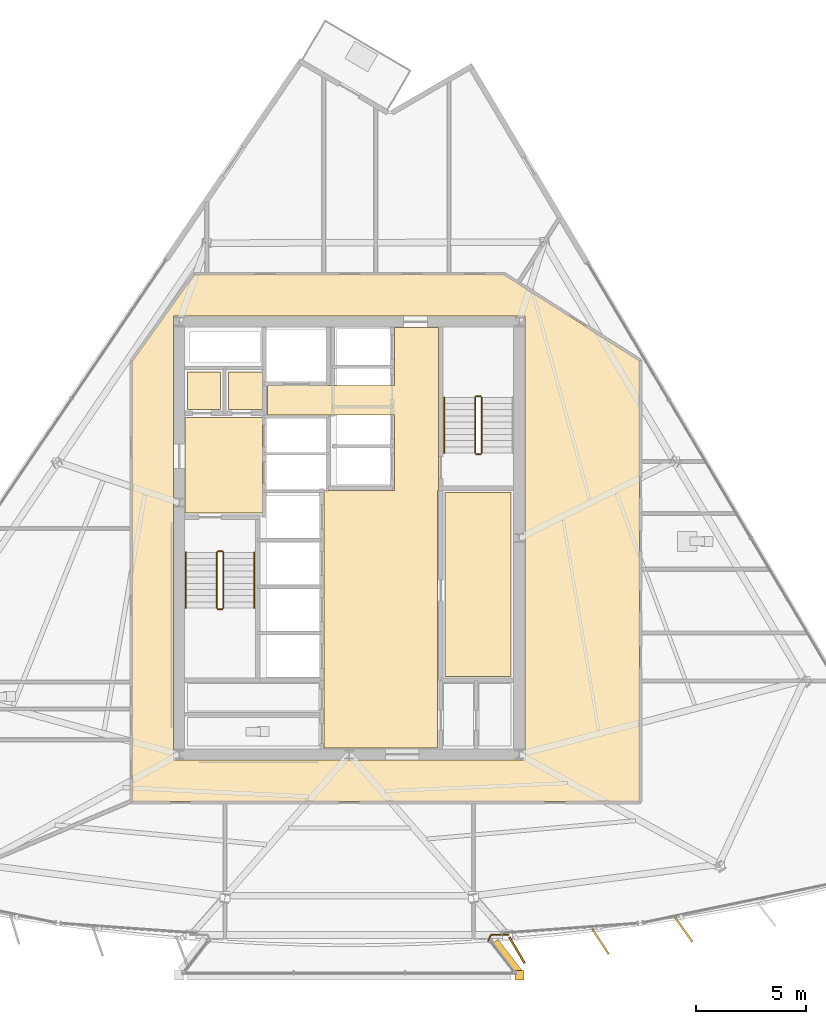
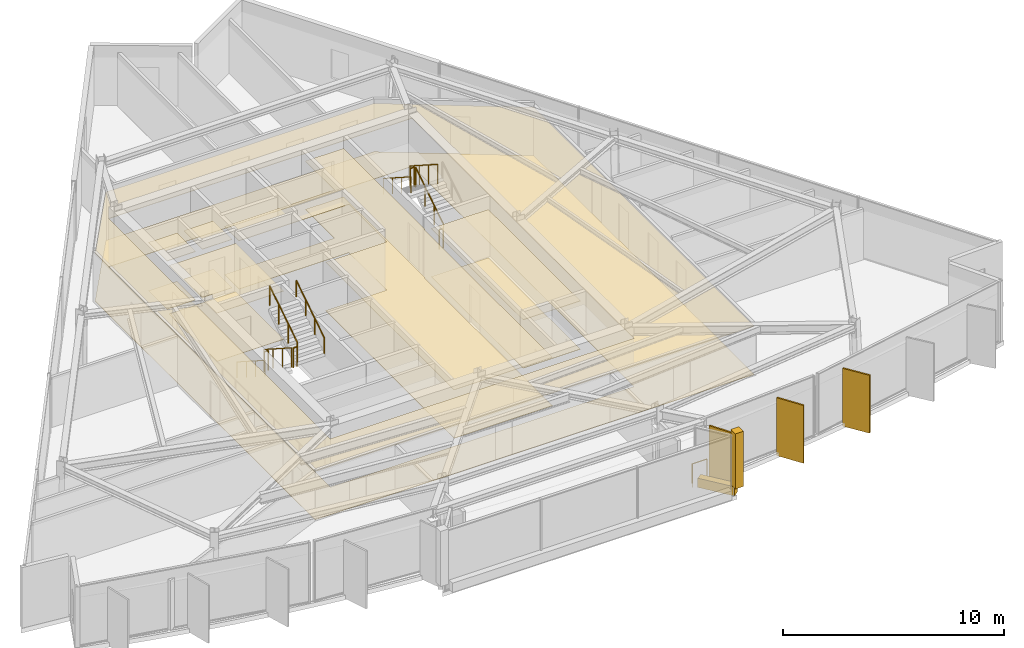
# One storey, part 12 of 14: 14 coverings, 12 railings, 3 shading devices.
"""IFC4 building model written with IfcOpenShell, lengths in metres."""

from ifc_helpers import new_model, si_unit, direction, frame, origin, origin_2d, place, context, subcontext, project, spatial, polyline, rectangle, circle, outline, extrude, material, layer, layer_set, type_object, element, save


model = new_model("IFC4")

# Units and contexts
model_context = context("Model", 3, precision=1e-05, world=origin(), true_north=direction((0.0, 1.0)))
body_context = subcontext(model_context, "Body", "Model", "MODEL_VIEW")
ifc_project = project(units=[si_unit("LENGTHUNIT", "METRE"), si_unit("AREAUNIT", "SQUARE_METRE"), si_unit("VOLUMEUNIT", "CUBIC_METRE"), si_unit("PLANEANGLEUNIT", "RADIAN"), si_unit("MASSUNIT", "GRAM", prefix="KILO")], contexts=[model_context])

# Site, building, storey
site_placement = place(None, origin())
site = spatial("IfcSite", under=ifc_project, at=site_placement, CompositionType="ELEMENT")
building_placement = place(site_placement, origin())
building = spatial("IfcBuilding", under=site, at=building_placement, Name="Savorim Split Tower", CompositionType="ELEMENT")
storey_placement = place(building_placement, frame((0.0, 0.0, 205.5)))
storey = spatial("IfcBuildingStorey", under=building, at=storey_placement, Name="L54", CompositionType="ELEMENT", Elevation=205.5)

# Coverings
ifc_material_1 = material(Name="Mineral Fibre Acoustic Ceiling")
ifc_layer_1 = layer(ifc_material_1, 0.02490234375)
ifc_layer_set_1 = layer_set([ifc_layer_1], Name="COV-CEIL-25")
covering_type_1 = type_object("IfcCoveringType", Name="COV-CEIL-25", PredefinedType="CEILING", material=ifc_layer_set_1)
covering_1_placement = place(storey_placement, frame((0.0, 0.0, 2.669921875)))
element("IfcCovering", 1, at=covering_1_placement, inside=storey, type_object=covering_type_1, Name="L54 Firefighting Lift Lobby Acoustic Ceiling", PredefinedType="CEILING", context=body_context, shape_type="SweptSolid", body=[
    extrude(outline(polyline([(-7.429931640625, 5.8701171875), (-7.429931640625, 1.530029296875), (-3.929931640625, 1.530029296875), (-3.929931640625, 5.8701171875), (-7.429931640625, 5.8701171875)])), origin(), (0.0, 0.0, 1.0), 0.025146484375),
])
covering_2_placement = place(storey_placement, frame((0.0, 0.0, 2.669921875)))
element("IfcCovering", 2, at=covering_2_placement, inside=storey, type_object=covering_type_1, Name="L54 Electrical Riser Acoustic Ceiling", PredefinedType="CEILING", context=body_context, shape_type="SweptSolid", body=[
    extrude(outline(polyline([(-7.320068359375, 7.919921875), (-7.320068359375, 6.22998046875), (-5.830078125, 6.22998046875), (-5.830078125, 7.919921875), (-7.320068359375, 7.919921875)])), origin(), (0.0, 0.0, 1.0), 0.025146484375),
])
covering_3_placement = place(storey_placement, frame((0.0, 0.0, 2.669921875)))
element("IfcCovering", 3, at=covering_3_placement, inside=storey, type_object=covering_type_1, Name="L54 Telecom Riser Acoustic Ceiling", PredefinedType="CEILING", context=body_context, shape_type="SweptSolid", body=[
    extrude(outline(polyline([(-5.469970703125, 7.919921875), (-5.469970703125, 6.22998046875), (-3.929931640625, 6.22998046875), (-3.929931640625, 7.919921875), (-5.469970703125, 7.919921875)])), origin(), (0.0, 0.0, 1.0), 0.025146484375),
])
covering_4_placement = place(storey_placement, frame((0.0, 0.0, 2.669921875)))
element("IfcCovering", 4, at=covering_4_placement, inside=storey, type_object=covering_type_1, Name="L54 Lift Lobby Acoustic Ceiling", PredefinedType="CEILING", context=body_context, shape_type="SweptSolid", body=[
    extrude(outline(polyline([(2.050048828125, 2.550048828125), (-1.14990234375, 2.550048828125), (-1.14990234375, -9.10009765625), (4.0, -9.10009765625), (4.0, 2.550048828125), (4.050048828125, 2.550048828125), (4.050048828125, 5.97998046875), (4.050048828125, 7.300048828125), (4.050048828125, 9.929931640625), (2.050048828125, 9.929931640625), (2.050048828125, 7.300048828125), (-3.699951171875, 7.300048828125), (-3.699951171875, 5.97998046875), (2.050048828125, 5.97998046875), (2.050048828125, 2.550048828125)])), origin(), (0.0, 0.0, 1.0), 0.025146484375),
])
covering_5_placement = place(storey_placement, frame((0.0, 0.0, 2.669921875)))
element("IfcCovering", 5, at=covering_5_placement, inside=storey, type_object=covering_type_1, Name="L54 Shared Pantry and Linen Room Acoustic Ceiling", PredefinedType="CEILING", context=body_context, shape_type="SweptSolid", body=[
    extrude(outline(polyline([(4.330078125, 2.469970703125), (4.330078125, -5.8701171875), (7.320068359375, -5.8701171875), (7.320068359375, 2.469970703125), (4.330078125, 2.469970703125)])), origin(), (0.0, 0.0, 1.0), 0.025146484375),
])
covering_6_placement = place(storey_placement, frame((0.0, 0.0, 2.669921875)))
element("IfcCovering", 6, at=covering_6_placement, inside=storey, type_object=covering_type_1, Name="L54 Corridor Acoustic Ceiling", PredefinedType="CEILING", context=body_context, shape_type="SweptSolid", body=[
    extrude(outline(polyline([(7.009521484375, 12.3291015625), (7.004638671875, 12.329833984375), (7.0, 12.330078125), (-7.0, 12.330078125), (-7.004638671875, 12.329833984375), (-7.009521484375, 12.3291015625), (-7.013916015625, 12.327880859375), (-7.0185546875, 12.326416015625), (-7.022705078125, 12.324462890625), (-7.027099609375, 12.322021484375), (-7.03076171875, 12.3193359375), (-7.034423828125, 12.31640625), (-7.03759765625, 12.312744140625), (-7.04052734375, 12.30908203125), (-9.820556640625, 8.42919921875), (-9.823486328125, 8.4248046875), (-9.82568359375, 8.420166015625), (-9.82763671875, 8.415283203125), (-9.828857421875, 8.410400390625), (-9.82958984375, 8.4052734375), (-9.830078125, 8.39990234375), (-9.830078125, -11.47998046875), (-9.829833984375, -11.48486328125), (-9.8291015625, -11.48974609375), (-9.827880859375, -11.494384765625), (-9.826171875, -11.4990234375), (-9.82421875, -11.503662109375), (-9.821533203125, -11.5078125), (-9.818603515625, -11.51171875), (-9.8154296875, -11.515380859375), (-9.811767578125, -11.518798828125), (-9.807861328125, -11.521484375), (-9.8037109375, -11.524169921875), (-9.799072265625, -11.526123046875), (-9.79443359375, -11.52783203125), (-9.789794921875, -11.529052734375), (-9.784912109375, -11.52978515625), (-9.780029296875, -11.530029296875), (13.10009765625, -11.530029296875), (13.10498046875, -11.52978515625), (13.10986328125, -11.529052734375), (13.114501953125, -11.52783203125), (13.119140625, -11.526123046875), (13.12353515625, -11.524169921875), (13.127685546875, -11.521484375), (13.131591796875, -11.518798828125), (13.135498046875, -11.515380859375), (13.138671875, -11.51171875), (13.1416015625, -11.5078125), (13.14404296875, -11.503662109375), (13.146240234375, -11.4990234375), (13.147705078125, -11.494384765625), (13.14892578125, -11.48974609375), (13.14990234375, -11.48486328125), (13.14990234375, -11.47998046875), (13.14990234375, 8.39990234375), (13.149658203125, 8.405029296875), (13.14892578125, 8.409912109375), (13.147705078125, 8.414794921875), (13.14599609375, 8.41943359375), (13.143798828125, 8.424072265625), (13.14111328125, 8.42822265625), (13.13818359375, 8.432373046875), (13.134765625, 8.43603515625), (13.130859375, 8.439208984375), (13.126708984375, 8.442138671875), (7.02685546875, 12.322265625), (7.022705078125, 12.324462890625), (7.018310546875, 12.326416015625), (7.013916015625, 12.327880859375), (7.009521484375, 12.3291015625)]), holes=[polyline([(-7.949951171875, 10.449951171875), (-7.949951171875, -9.64990234375), (7.949951171875, -9.64990234375), (7.949951171875, 10.449951171875), (-7.949951171875, 10.449951171875)])]), origin(), (0.0, 0.0, 1.0), 0.025146484375),
])
ifc_material_2 = material(Name="Porcelain Stoneware Flooring", Category="masonry")
ifc_layer_2 = layer(ifc_material_2, 0.02001953125)
ifc_layer_set_2 = layer_set([ifc_layer_2], Name="COV-FLOR-20")
covering_type_2 = type_object("IfcCoveringType", Name="COV-FLOR-20", PredefinedType="FLOORING", material=ifc_layer_set_2)
covering_7_placement = place(storey_placement, origin())
element("IfcCovering", 7, at=covering_7_placement, inside=storey, type_object=covering_type_2, Name="L54 Firefighting Lift Lobby Porcelain Flooring", PredefinedType="FLOORING", context=body_context, shape_type="SweptSolid", body=[
    extrude(outline(polyline([(-7.429931640625, 5.8701171875), (-7.429931640625, 1.530029296875), (-3.929931640625, 1.530029296875), (-3.929931640625, 5.8701171875), (-7.429931640625, 5.8701171875)])), origin(), (0.0, 0.0, 1.0), 0.02001953125),
])
covering_8_placement = place(storey_placement, origin())
element("IfcCovering", 8, at=covering_8_placement, inside=storey, type_object=covering_type_2, Name="L54 Electrical Riser Porcelain Flooring", PredefinedType="FLOORING", context=body_context, shape_type="SweptSolid", body=[
    extrude(outline(polyline([(-7.320068359375, 7.919921875), (-7.320068359375, 6.22998046875), (-5.830078125, 6.22998046875), (-5.830078125, 7.919921875), (-7.320068359375, 7.919921875)])), origin(), (0.0, 0.0, 1.0), 0.02001953125),
])
covering_9_placement = place(storey_placement, origin())
element("IfcCovering", 9, at=covering_9_placement, inside=storey, type_object=covering_type_2, Name="L54 Telecom Riser Porcelain Flooring", PredefinedType="FLOORING", context=body_context, shape_type="SweptSolid", body=[
    extrude(outline(polyline([(-5.469970703125, 7.919921875), (-5.469970703125, 6.22998046875), (-3.929931640625, 6.22998046875), (-3.929931640625, 7.919921875), (-5.469970703125, 7.919921875)])), origin(), (0.0, 0.0, 1.0), 0.02001953125),
])
covering_10_placement = place(storey_placement, origin())
element("IfcCovering", 10, at=covering_10_placement, inside=storey, type_object=covering_type_2, Name="L54 Lift Lobby Porcelain Flooring", PredefinedType="FLOORING", context=body_context, shape_type="SweptSolid", body=[
    extrude(outline(polyline([(2.050048828125, 2.550048828125), (-1.14990234375, 2.550048828125), (-1.14990234375, -9.10009765625), (4.0, -9.10009765625), (4.0, 2.550048828125), (4.050048828125, 2.550048828125), (4.050048828125, 5.97998046875), (4.050048828125, 7.300048828125), (4.050048828125, 9.929931640625), (2.050048828125, 9.929931640625), (2.050048828125, 7.300048828125), (-3.699951171875, 7.300048828125), (-3.699951171875, 5.97998046875), (2.050048828125, 5.97998046875), (2.050048828125, 2.550048828125)])), origin(), (0.0, 0.0, 1.0), 0.02001953125),
])
covering_11_placement = place(storey_placement, origin())
element("IfcCovering", 11, at=covering_11_placement, inside=storey, type_object=covering_type_2, Name="L54 Shared Pantry and Linen Room Porcelain Flooring", PredefinedType="FLOORING", context=body_context, shape_type="SweptSolid", body=[
    extrude(outline(polyline([(4.330078125, 2.469970703125), (4.330078125, -5.8701171875), (7.320068359375, -5.8701171875), (7.320068359375, 2.469970703125), (4.330078125, 2.469970703125)])), origin(), (0.0, 0.0, 1.0), 0.02001953125),
])
covering_12_placement = place(storey_placement, origin())
element("IfcCovering", 12, at=covering_12_placement, inside=storey, type_object=covering_type_2, Name="L54 Corridor Porcelain Flooring", PredefinedType="FLOORING", context=body_context, shape_type="SweptSolid", body=[
    extrude(outline(polyline([(7.009521484375, 12.3291015625), (7.004638671875, 12.329833984375), (7.0, 12.330078125), (-7.0, 12.330078125), (-7.004638671875, 12.329833984375), (-7.009521484375, 12.3291015625), (-7.013916015625, 12.327880859375), (-7.0185546875, 12.326416015625), (-7.022705078125, 12.324462890625), (-7.027099609375, 12.322021484375), (-7.03076171875, 12.3193359375), (-7.034423828125, 12.31640625), (-7.03759765625, 12.312744140625), (-7.04052734375, 12.30908203125), (-9.820556640625, 8.42919921875), (-9.823486328125, 8.4248046875), (-9.82568359375, 8.420166015625), (-9.82763671875, 8.415283203125), (-9.828857421875, 8.410400390625), (-9.82958984375, 8.4052734375), (-9.830078125, 8.39990234375), (-9.830078125, -11.47998046875), (-9.829833984375, -11.48486328125), (-9.8291015625, -11.48974609375), (-9.827880859375, -11.494384765625), (-9.826171875, -11.4990234375), (-9.82421875, -11.503662109375), (-9.821533203125, -11.5078125), (-9.818603515625, -11.51171875), (-9.8154296875, -11.515380859375), (-9.811767578125, -11.518798828125), (-9.807861328125, -11.521484375), (-9.8037109375, -11.524169921875), (-9.799072265625, -11.526123046875), (-9.79443359375, -11.52783203125), (-9.789794921875, -11.529052734375), (-9.784912109375, -11.52978515625), (-9.780029296875, -11.530029296875), (13.10009765625, -11.530029296875), (13.10498046875, -11.52978515625), (13.10986328125, -11.529052734375), (13.114501953125, -11.52783203125), (13.119140625, -11.526123046875), (13.12353515625, -11.524169921875), (13.127685546875, -11.521484375), (13.131591796875, -11.518798828125), (13.135498046875, -11.515380859375), (13.138671875, -11.51171875), (13.1416015625, -11.5078125), (13.14404296875, -11.503662109375), (13.146240234375, -11.4990234375), (13.147705078125, -11.494384765625), (13.14892578125, -11.48974609375), (13.14990234375, -11.48486328125), (13.14990234375, -11.47998046875), (13.14990234375, 8.39990234375), (13.149658203125, 8.405029296875), (13.14892578125, 8.409912109375), (13.147705078125, 8.414794921875), (13.14599609375, 8.41943359375), (13.143798828125, 8.424072265625), (13.14111328125, 8.42822265625), (13.13818359375, 8.432373046875), (13.134765625, 8.43603515625), (13.130859375, 8.439208984375), (13.126708984375, 8.442138671875), (7.02685546875, 12.322265625), (7.022705078125, 12.324462890625), (7.018310546875, 12.326416015625), (7.013916015625, 12.327880859375), (7.009521484375, 12.3291015625)]), holes=[polyline([(-7.949951171875, 10.449951171875), (-7.949951171875, -9.64990234375), (7.949951171875, -9.64990234375), (7.949951171875, 10.449951171875), (-7.949951171875, 10.449951171875)])]), origin(), (0.0, 0.0, 1.0), 0.02001953125),
])
ifc_material_3 = material(Name="White Porcelain Architectural Cladding")
ifc_layer_3 = layer(ifc_material_3, 0.139892578125)
ifc_layer_set_3 = layer_set([ifc_layer_3], Name="COV-FRM-WHITE")
covering_type_3 = type_object("IfcCoveringType", Name="COV-FRM-WHITE", PredefinedType="CLADDING", material=ifc_layer_set_3)
covering_13_placement = place(storey_placement, frame((0.0, 0.0, 0.010009765625)))
element("IfcCovering", 13, at=covering_13_placement, inside=storey, type_object=covering_type_3, Name="L54 Cantilevered Lounge White Lower Frame Band E", PredefinedType="CLADDING", context=body_context, shape_type="SweptSolid", body=[
    extrude(outline(polyline([(7.84033203125, -19.198486328125), (6.740478515625, -17.773681640625), (6.47119140625, -17.981201171875), (7.571044921875, -19.40625), (7.84033203125, -19.198486328125)])), origin(), (0.0, 0.0, 1.0), 0.510009765625),
])
covering_14_placement = place(storey_placement, frame((0.0, 0.0, 0.5400390625)))
element("IfcCovering", 14, at=covering_14_placement, inside=storey, type_object=covering_type_3, Name="L54 Cantilevered Lounge White Frame Corner Post 2", PredefinedType="CLADDING", context=body_context, shape_type="SweptSolid", body=[
    extrude(outline(polyline([(7.5048828125, -19.606201171875), (7.925048828125, -19.606201171875), (7.925048828125, -19.186279296875), (7.5048828125, -19.186279296875), (7.5048828125, -19.606201171875)])), origin(), (0.0, 0.0, 1.0), 3.050048828125),
])

# Railings
ifc_material_4 = material(Name="Galvanised Painted Steel Balustrade", Category="steel")
railing_type_1 = type_object("IfcRailingType", Name="RLG-BAL-1100", PredefinedType="BALUSTRADE", material=ifc_material_4)
railing_1_placement = place(storey_placement, frame((6.289306640625, -17.84228515625, 0.0)))
element("IfcRailing", 15, at=railing_1_placement, inside=storey, type_object=railing_type_1, Name="L54 Cantilevered Lounge East Edge Closure Guard", PredefinedType="BALUSTRADE", context=body_context, shape_type="SweptSolid", body=[
    extrude(circle(Radius=0.02392578125, at=origin_2d()), frame((0.0, 0.0, 1.076171875), z_axis=(0.429434058601, 0.90309821687, 0.0), x_axis=(-0.90309821687, 0.429434058601, 0.0)), (0.0, 0.0, 1.0), 0.303466796875),
    extrude(circle(Radius=0.02392578125, at=origin_2d()), frame((0.13037109375, 0.274169921875, 1.076171875), z_axis=(1.0, 0.0, 0.0), x_axis=(0.0, 1.0, 0.0)), (0.0, 0.0, 1.0), 0.780029296875),
    extrude(circle(Radius=0.02099609375, at=origin_2d()), origin(), (0.0, 0.0, 1.0), 1.052001953125),
    extrude(circle(Radius=0.02099609375, at=origin_2d()), frame((0.13037109375, 0.274169921875, 0.0)), (0.0, 0.0, 1.0), 1.052001953125),
    extrude(circle(Radius=0.02099609375, at=origin_2d()), frame((0.910400390625, 0.274169921875, 0.0)), (0.0, 0.0, 1.0), 1.052001953125),
])
railing_type_2 = type_object("IfcRailingType", Name="RLG-HR-900", PredefinedType="HANDRAIL", material=ifc_material_4)
railing_2_placement = place(storey_placement, frame((-7.39990234375, -0.25, 0.179931640625)))
element("IfcRailing", 16, at=railing_2_placement, inside=storey, type_object=railing_type_2, Name="L54 ST-1 stair handrail 1", PredefinedType="HANDRAIL", context=body_context, shape_type="SweptSolid", body=[
    extrude(circle(Radius=0.02392578125, at=origin_2d()), frame((0.0, 0.0, 0.8759765625), z_axis=(0.0, -0.841162588446, 0.540782303519), x_axis=(1.0, 0.0, 0.0)), (0.0, 0.0, 1.0), 2.995849609375),
    extrude(circle(Radius=0.02099609375, at=origin_2d()), origin(), (0.0, 0.0, 1.0), 0.851806640625),
    extrude(circle(Radius=0.02099609375, at=origin_2d()), frame((0.0, -0.840087890625, 0.5400390625)), (0.0, 0.0, 1.0), 0.851806640625),
    extrude(circle(Radius=0.02099609375, at=origin_2d()), frame((0.0, -1.679931640625, 1.080078125)), (0.0, 0.0, 1.0), 0.851806640625),
    extrude(circle(Radius=0.02099609375, at=origin_2d()), frame((0.0, -2.52001953125, 1.6201171875)), (0.0, 0.0, 1.0), 0.851806640625),
])
railing_3_placement = place(storey_placement, frame((-4.300048828125, -2.77001953125, 1.97998046875)))
element("IfcRailing", 17, at=railing_3_placement, inside=storey, type_object=railing_type_2, Name="L54 ST-1 stair handrail 2", PredefinedType="HANDRAIL", context=body_context, shape_type="SweptSolid", body=[
    extrude(circle(Radius=0.02392578125, at=origin_2d()), frame((0.0, 0.0, 0.8759765625), z_axis=(0.0, 0.841162588446, 0.540782303519), x_axis=(-1.0, 0.0, 0.0)), (0.0, 0.0, 1.0), 2.995849609375),
    extrude(circle(Radius=0.02099609375, at=origin_2d()), origin(), (0.0, 0.0, 1.0), 0.851806640625),
    extrude(circle(Radius=0.02099609375, at=origin_2d()), frame((0.0, 0.840087890625, 0.5400390625)), (0.0, 0.0, 1.0), 0.851806640625),
    extrude(circle(Radius=0.02099609375, at=origin_2d()), frame((0.0, 1.679931640625, 1.080078125)), (0.0, 0.0, 1.0), 0.851806640625),
    extrude(circle(Radius=0.02099609375, at=origin_2d()), frame((0.0, 2.52001953125, 1.6201171875)), (0.0, 0.0, 1.0), 0.851806640625),
])
railing_4_placement = place(storey_placement, frame((4.300048828125, 6.77001953125, 1.97998046875)))
element("IfcRailing", 18, at=railing_4_placement, inside=storey, type_object=railing_type_2, Name="L54 ST-2 stair handrail 2", PredefinedType="HANDRAIL", context=body_context, shape_type="SweptSolid", body=[
    extrude(circle(Radius=0.02392578125, at=origin_2d()), frame((0.0, 0.0, 0.8759765625), z_axis=(0.0, -0.841162588446, 0.540782303519), x_axis=(1.0, 0.0, 0.0)), (0.0, 0.0, 1.0), 2.995849609375),
    extrude(circle(Radius=0.02099609375, at=origin_2d()), origin(), (0.0, 0.0, 1.0), 0.851806640625),
    extrude(circle(Radius=0.02099609375, at=origin_2d()), frame((0.0, -0.840087890625, 0.5400390625)), (0.0, 0.0, 1.0), 0.851806640625),
    extrude(circle(Radius=0.02099609375, at=origin_2d()), frame((0.0, -1.679931640625, 1.080078125)), (0.0, 0.0, 1.0), 0.851806640625),
    extrude(circle(Radius=0.02099609375, at=origin_2d()), frame((0.0, -2.52001953125, 1.6201171875)), (0.0, 0.0, 1.0), 0.851806640625),
])
railing_type_3 = type_object("IfcRailingType", Name="RLG-STG-1100", PredefinedType="BALUSTRADE", material=ifc_material_4)
railing_5_placement = place(storey_placement, frame((-6.0, -0.25, 0.179931640625)))
element("IfcRailing", 19, at=railing_5_placement, inside=storey, type_object=railing_type_3, Name="L54 ST-1 stair guard 1", PredefinedType="BALUSTRADE", context=body_context, shape_type="SweptSolid", body=[
    extrude(circle(Radius=0.02392578125, at=origin_2d()), frame((0.0, 0.0, 1.076171875), z_axis=(0.0, -0.841162588446, 0.540782303519), x_axis=(1.0, 0.0, 0.0)), (0.0, 0.0, 1.0), 2.995849609375),
    extrude(circle(Radius=0.02099609375, at=origin_2d()), origin(), (0.0, 0.0, 1.0), 1.052001953125),
    extrude(circle(Radius=0.02099609375, at=origin_2d()), frame((0.0, -0.840087890625, 0.5400390625)), (0.0, 0.0, 1.0), 1.052001953125),
    extrude(circle(Radius=0.02099609375, at=origin_2d()), frame((0.0, -1.679931640625, 1.080078125)), (0.0, 0.0, 1.0), 1.052001953125),
    extrude(circle(Radius=0.02099609375, at=origin_2d()), frame((0.0, -2.52001953125, 1.6201171875)), (0.0, 0.0, 1.0), 1.052001953125),
])
railing_6_placement = place(storey_placement, frame((-5.949951171875, -2.820068359375, 1.800048828125)))
element("IfcRailing", 20, at=railing_6_placement, inside=storey, type_object=railing_type_3, Name="L54 ST-1 stair guard 2", PredefinedType="BALUSTRADE", context=body_context, shape_type="SweptSolid", body=[
    extrude(circle(Radius=0.02392578125, at=origin_2d()), frame((0.0, 0.0, 1.076171875), z_axis=(1.0, 0.0, 0.0), x_axis=(0.0, 1.0, 0.0)), (0.0, 0.0, 1.0), 0.199951171875),
    extrude(circle(Radius=0.02099609375, at=origin_2d()), origin(), (0.0, 0.0, 1.0), 1.052001953125),
    extrude(circle(Radius=0.02099609375, at=origin_2d()), frame((0.199951171875, 0.0, 0.0)), (0.0, 0.0, 1.0), 1.052001953125),
])
railing_7_placement = place(storey_placement, frame((-5.699951171875, -2.77001953125, 1.97998046875)))
element("IfcRailing", 21, at=railing_7_placement, inside=storey, type_object=railing_type_3, Name="L54 ST-1 stair guard 3", PredefinedType="BALUSTRADE", context=body_context, shape_type="SweptSolid", body=[
    extrude(circle(Radius=0.02392578125, at=origin_2d()), frame((0.0, 0.0, 1.076171875), z_axis=(0.0, 0.841162588446, 0.540782303519), x_axis=(-1.0, 0.0, 0.0)), (0.0, 0.0, 1.0), 2.995849609375),
    extrude(circle(Radius=0.02099609375, at=origin_2d()), origin(), (0.0, 0.0, 1.0), 1.052001953125),
    extrude(circle(Radius=0.02099609375, at=origin_2d()), frame((0.0, 0.840087890625, 0.5400390625)), (0.0, 0.0, 1.0), 1.052001953125),
    extrude(circle(Radius=0.02099609375, at=origin_2d()), frame((0.0, 1.679931640625, 1.080078125)), (0.0, 0.0, 1.0), 1.052001953125),
    extrude(circle(Radius=0.02099609375, at=origin_2d()), frame((0.0, 2.52001953125, 1.6201171875)), (0.0, 0.0, 1.0), 1.052001953125),
])
railing_8_placement = place(storey_placement, frame((-5.949951171875, -0.199951171875, 0.0)))
element("IfcRailing", 22, at=railing_8_placement, inside=storey, type_object=railing_type_3, Name="L54 ST-1 stair guard 4", PredefinedType="BALUSTRADE", context=body_context, shape_type="SweptSolid", body=[
    extrude(circle(Radius=0.02392578125, at=origin_2d()), frame((0.0, 0.0, 1.076171875), z_axis=(1.0, 0.0, 0.0), x_axis=(0.0, 1.0, 0.0)), (0.0, 0.0, 1.0), 0.199951171875),
    extrude(circle(Radius=0.02099609375, at=origin_2d()), origin(), (0.0, 0.0, 1.0), 1.052001953125),
    extrude(circle(Radius=0.02099609375, at=origin_2d()), frame((0.199951171875, 0.0, 0.0)), (0.0, 0.0, 1.0), 1.052001953125),
])
railing_9_placement = place(storey_placement, frame((6.0, 4.25, 0.179931640625)))
element("IfcRailing", 23, at=railing_9_placement, inside=storey, type_object=railing_type_3, Name="L54 ST-2 stair guard 1", PredefinedType="BALUSTRADE", context=body_context, shape_type="SweptSolid", body=[
    extrude(circle(Radius=0.02392578125, at=origin_2d()), frame((0.0, 0.0, 1.076171875), z_axis=(0.0, 0.841162588446, 0.540782303519), x_axis=(-1.0, 0.0, 0.0)), (0.0, 0.0, 1.0), 2.995849609375),
    extrude(circle(Radius=0.02099609375, at=origin_2d()), origin(), (0.0, 0.0, 1.0), 1.052001953125),
    extrude(circle(Radius=0.02099609375, at=origin_2d()), frame((0.0, 0.840087890625, 0.5400390625)), (0.0, 0.0, 1.0), 1.052001953125),
    extrude(circle(Radius=0.02099609375, at=origin_2d()), frame((0.0, 1.679931640625, 1.080078125)), (0.0, 0.0, 1.0), 1.052001953125),
    extrude(circle(Radius=0.02099609375, at=origin_2d()), frame((0.0, 2.52001953125, 1.6201171875)), (0.0, 0.0, 1.0), 1.052001953125),
])
railing_10_placement = place(storey_placement, frame((5.949951171875, 6.820068359375, 1.800048828125)))
element("IfcRailing", 24, at=railing_10_placement, inside=storey, type_object=railing_type_3, Name="L54 ST-2 stair guard 2", PredefinedType="BALUSTRADE", context=body_context, shape_type="SweptSolid", body=[
    extrude(circle(Radius=0.02392578125, at=origin_2d()), frame((0.0, 0.0, 1.076171875), z_axis=(-1.0, 0.0, 0.0), x_axis=(0.0, -1.0, 0.0)), (0.0, 0.0, 1.0), 0.199951171875),
    extrude(circle(Radius=0.02099609375, at=origin_2d()), origin(), (0.0, 0.0, 1.0), 1.052001953125),
    extrude(circle(Radius=0.02099609375, at=origin_2d()), frame((-0.199951171875, 0.0, 0.0)), (0.0, 0.0, 1.0), 1.052001953125),
])
railing_11_placement = place(storey_placement, frame((5.699951171875, 6.77001953125, 1.97998046875)))
element("IfcRailing", 25, at=railing_11_placement, inside=storey, type_object=railing_type_3, Name="L54 ST-2 stair guard 3", PredefinedType="BALUSTRADE", context=body_context, shape_type="SweptSolid", body=[
    extrude(circle(Radius=0.02392578125, at=origin_2d()), frame((0.0, 0.0, 1.076171875), z_axis=(0.0, -0.841162588446, 0.540782303519), x_axis=(1.0, 0.0, 0.0)), (0.0, 0.0, 1.0), 2.995849609375),
    extrude(circle(Radius=0.02099609375, at=origin_2d()), origin(), (0.0, 0.0, 1.0), 1.052001953125),
    extrude(circle(Radius=0.02099609375, at=origin_2d()), frame((0.0, -0.840087890625, 0.5400390625)), (0.0, 0.0, 1.0), 1.052001953125),
    extrude(circle(Radius=0.02099609375, at=origin_2d()), frame((0.0, -1.679931640625, 1.080078125)), (0.0, 0.0, 1.0), 1.052001953125),
    extrude(circle(Radius=0.02099609375, at=origin_2d()), frame((0.0, -2.52001953125, 1.6201171875)), (0.0, 0.0, 1.0), 1.052001953125),
])
railing_12_placement = place(storey_placement, frame((5.949951171875, 4.199951171875, 0.0)))
element("IfcRailing", 26, at=railing_12_placement, inside=storey, type_object=railing_type_3, Name="L54 ST-2 stair guard 4", PredefinedType="BALUSTRADE", context=body_context, shape_type="SweptSolid", body=[
    extrude(circle(Radius=0.02392578125, at=origin_2d()), frame((0.0, 0.0, 1.076171875), z_axis=(-1.0, 0.0, 0.0), x_axis=(0.0, -1.0, 0.0)), (0.0, 0.0, 1.0), 0.199951171875),
    extrude(circle(Radius=0.02099609375, at=origin_2d()), origin(), (0.0, 0.0, 1.0), 1.052001953125),
    extrude(circle(Radius=0.02099609375, at=origin_2d()), frame((-0.199951171875, 0.0, 0.0)), (0.0, 0.0, 1.0), 1.052001953125),
])

# Shading devices
ifc_material_5 = material(Name="Terracotta Ceramic-Coated Aluminium Fin", Category="masonry")
shading_device_type = type_object("IfcShadingDeviceType", Name="SHD-FIN-1360", PredefinedType="USERDEFINED", material=ifc_material_5)
for number, where, z_axis, x_axis, name in (
    (27, (7.599609375, -18.26708984375, -0.2001953125), (0.0, 0.0, 1.0), (0.510391336723, -0.859942255851, 0.0), "L54 Sawtooth Shading Fin 09"),
    (28, (11.38330078125, -17.878662109375, -0.2001953125), (0.0, 0.0, 1.0), (0.545148321708, -0.838339613366, 0.0), "L54 Sawtooth Shading Fin 10"),
    (29, (15.148193359375, -17.335693359375, -0.2001953125), (0.0, 0.0, 1.0), (0.578993757737, -0.815331974414, 0.0), "L54 Sawtooth Shading Fin 11"),
):
    element("IfcShadingDevice", number, at=place(storey_placement, frame(where, z_axis=z_axis, x_axis=x_axis)), inside=storey, type_object=shading_device_type, Name=name, ObjectType="FIN", PredefinedType="USERDEFINED", context=body_context, shape_type="SweptSolid", body=[
        extrude(rectangle(XDim=1.360107421875, YDim=0.080078125, at=origin_2d()), origin(), (0.0, 0.0, 1.0), 3.199951171875),
    ])

save(model, "model.ifc")
